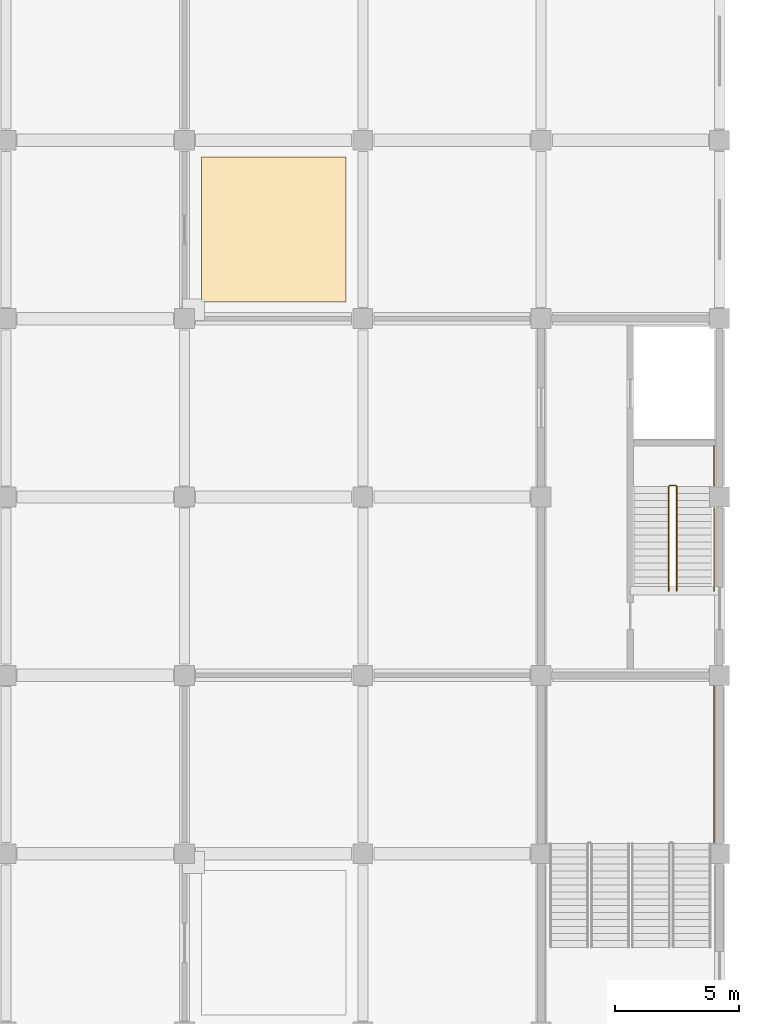
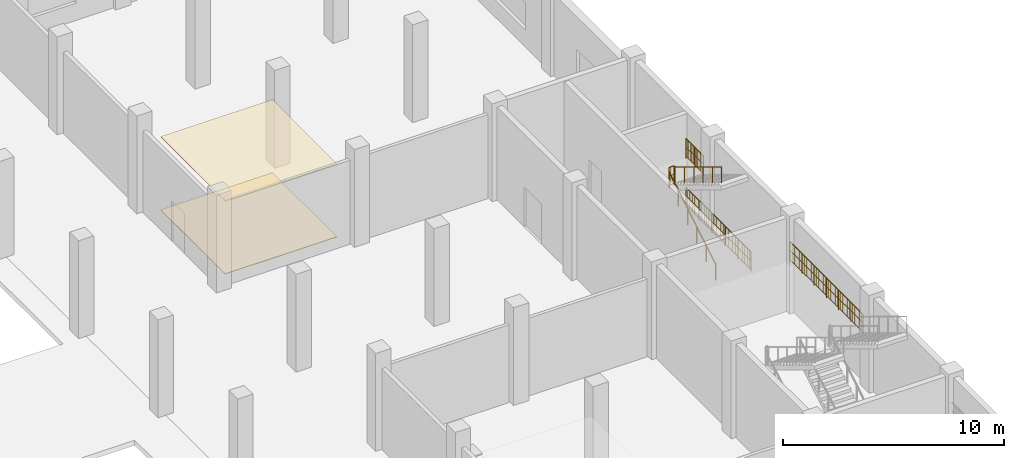
# One storey, part 69 of 70: 6 railings, 2 coverings.
"""IFC4 building model written with IfcOpenShell, lengths in metres."""

from ifc_helpers import new_model, si_unit, direction, frame, origin, origin_2d, place, context, subcontext, project, spatial, polyline, circle, outline, extrude, material, layer, layer_set, type_object, element, save


model = new_model("IFC4")

# Units and contexts
model_context = context("Model", 3, precision=1e-05, world=origin(), true_north=direction((0.0, 1.0)))
body_context = subcontext(model_context, "Body", "Model", "MODEL_VIEW")
ifc_project = project(units=[si_unit("LENGTHUNIT", "METRE"), si_unit("AREAUNIT", "SQUARE_METRE"), si_unit("VOLUMEUNIT", "CUBIC_METRE"), si_unit("PLANEANGLEUNIT", "RADIAN"), si_unit("MASSUNIT", "GRAM", prefix="KILO")], contexts=[model_context])

# Site, building, storey
site_placement = place(None, origin())
site = spatial("IfcSite", under=ifc_project, at=site_placement, CompositionType="ELEMENT")
building_placement = place(site_placement, origin())
building = spatial("IfcBuilding", under=site, at=building_placement, Name="Vesperath Aquatics Centre", CompositionType="ELEMENT")
storey_placement = place(building_placement, origin())
storey = spatial("IfcBuildingStorey", under=building, at=storey_placement, Name="L00", CompositionType="ELEMENT", Elevation=0.0)

# Coverings
ifc_material_1 = material(Name="Perforated moisture-resistant acoustic mineral-fibre ceiling", Category="gypsum")
ifc_layer_1 = layer(ifc_material_1, 0.044921875)
ifc_layer_set_1 = layer_set([ifc_layer_1], Name="Perforated moisture-resistant acoustic mineral-fibre ceiling")
covering_type_1 = type_object("IfcCoveringType", Name="CV-CLG01", PredefinedType="CEILING", material=ifc_layer_set_1)
covering_1_placement = place(storey_placement, frame((0.0, 0.0, 4.02490234375)))
element("IfcCovering", 1, at=covering_1_placement, inside=storey, type_object=covering_type_1, Name="Acoustic Suspended Ceiling CLG1 L00_CHG_FAM", PredefinedType="CEILING", context=body_context, shape_type="SweptSolid", body=[
    extrude(outline(polyline([(151.8798828125, 94.280029296875), (157.719970703125, 94.280029296875), (157.719970703125, 100.1201171875), (151.8798828125, 100.1201171875), (151.8798828125, 94.280029296875)])), origin(), (0.0, 0.0, 1.0), 0.045166015625),
])
ifc_material_2 = material(Name="Slip-resistant vitrified ceramic and terrazzo flooring", Category="ceramic")
ifc_layer_2 = layer(ifc_material_2, 0.030029296875)
ifc_layer_set_2 = layer_set([ifc_layer_2], Name="Slip-resistant vitrified ceramic and terrazzo flooring")
covering_type_2 = type_object("IfcCoveringType", Name="CV-FLR01", PredefinedType="FLOORING", material=ifc_layer_set_2)
covering_2_placement = place(storey_placement, origin())
element("IfcCovering", 2, at=covering_2_placement, inside=storey, type_object=covering_type_2, Name="Slip-Resistant Floor Finish FLR1 L00_CHG_FAM", PredefinedType="FLOORING", context=body_context, shape_type="SweptSolid", body=[
    extrude(outline(polyline([(151.8798828125, 94.280029296875), (157.719970703125, 94.280029296875), (157.719970703125, 100.1201171875), (151.8798828125, 100.1201171875), (151.8798828125, 94.280029296875)])), origin(), (0.0, 0.0, 1.0), 0.030029296875),
])

# Railings
ifc_material_3 = material(Name="Powder-coated galvanized steel safety guard", Category="steel")
railing_type_1 = type_object("IfcRailingType", Name="RL-GRD01", PredefinedType="GUARDRAIL", material=ifc_material_3)
railing_1_placement = place(storey_placement, frame((170.780029296875, 86.860107421875, 2.699951171875)))
element("IfcRailing", 3, at=railing_1_placement, inside=storey, type_object=railing_type_1, Name="Stair ST4 Half-Landing Slot Guard GR02 L00", PredefinedType="GUARDRAIL", context=body_context, shape_type="SweptSolid", body=[
    extrude(circle(Radius=0.02392578125, at=origin_2d()), frame((0.0, 0.0, 1.0859375), z_axis=(1.0, 0.0, 0.0), x_axis=(0.0, 1.0, 0.0)), (0.0, 0.0, 1.0), 0.260009765625),
    extrude(circle(Radius=0.01611328125, at=origin_2d()), frame((0.0, 0.0, 0.10009765625), z_axis=(1.0, 0.0, 0.0), x_axis=(0.0, 1.0, 0.0)), (0.0, 0.0, 1.0), 0.260009765625),
    extrude(circle(Radius=0.01611328125, at=origin_2d()), frame((0.0, 0.0, 0.610595703125), z_axis=(1.0, 0.0, 0.0), x_axis=(0.0, 1.0, 0.0)), (0.0, 0.0, 1.0), 0.260009765625),
    extrude(circle(Radius=0.009033203125, at=origin_2d()), frame((0.086669921875, 0.0, 0.10009765625)), (0.0, 0.0, 1.0), 0.9619140625),
    extrude(circle(Radius=0.009033203125, at=origin_2d()), frame((0.17333984375, 0.0, 0.10009765625)), (0.0, 0.0, 1.0), 0.9619140625),
    extrude(circle(Radius=0.02197265625, at=origin_2d()), origin(), (0.0, 0.0, 1.0), 1.0859375),
    extrude(circle(Radius=0.02197265625, at=origin_2d()), frame((0.260009765625, 0.0, 0.0)), (0.0, 0.0, 1.0), 1.0859375),
])
railing_2_placement = place(storey_placement, frame((172.580078125, 86.860107421875, 2.699951171875)))
element("IfcRailing", 4, at=railing_2_placement, inside=storey, type_object=railing_type_1, Name="Stair ST4 Half-Landing Wall Guard GR02 L00", PredefinedType="GUARDRAIL", context=body_context, shape_type="SweptSolid", body=[
    extrude(circle(Radius=0.02392578125, at=origin_2d()), frame((0.0, 0.0, 1.0859375), z_axis=(0.0, 1.0, 0.0), x_axis=(-1.0, 0.0, 0.0)), (0.0, 0.0, 1.0), 1.599853515625),
    extrude(circle(Radius=0.01611328125, at=origin_2d()), frame((0.0, 0.0, 0.10009765625), z_axis=(0.0, 1.0, 0.0), x_axis=(-1.0, 0.0, 0.0)), (0.0, 0.0, 1.0), 1.599853515625),
    extrude(circle(Radius=0.01611328125, at=origin_2d()), frame((0.0, 0.0, 0.610595703125), z_axis=(0.0, 1.0, 0.0), x_axis=(-1.0, 0.0, 0.0)), (0.0, 0.0, 1.0), 1.599853515625),
    extrude(circle(Radius=0.009033203125, at=origin_2d()), frame((0.0, 0.106689453125, 0.10009765625)), (0.0, 0.0, 1.0), 0.9619140625),
    extrude(circle(Radius=0.009033203125, at=origin_2d()), frame((0.0, 0.21337890625, 0.10009765625)), (0.0, 0.0, 1.0), 0.9619140625),
    extrude(circle(Radius=0.009033203125, at=origin_2d()), frame((0.0, 0.320068359375, 0.10009765625)), (0.0, 0.0, 1.0), 0.9619140625),
    extrude(circle(Radius=0.009033203125, at=origin_2d()), frame((0.0, 0.426513671875, 0.10009765625)), (0.0, 0.0, 1.0), 0.9619140625),
    extrude(circle(Radius=0.009033203125, at=origin_2d()), frame((0.0, 0.533203125, 0.10009765625)), (0.0, 0.0, 1.0), 0.9619140625),
    extrude(circle(Radius=0.009033203125, at=origin_2d()), frame((0.0, 0.639892578125, 0.10009765625)), (0.0, 0.0, 1.0), 0.9619140625),
    extrude(circle(Radius=0.009033203125, at=origin_2d()), frame((0.0, 0.74658203125, 0.10009765625)), (0.0, 0.0, 1.0), 0.9619140625),
    extrude(circle(Radius=0.009033203125, at=origin_2d()), frame((0.0, 0.853271484375, 0.10009765625)), (0.0, 0.0, 1.0), 0.9619140625),
    extrude(circle(Radius=0.009033203125, at=origin_2d()), frame((0.0, 0.9599609375, 0.10009765625)), (0.0, 0.0, 1.0), 0.9619140625),
    extrude(circle(Radius=0.009033203125, at=origin_2d()), frame((0.0, 1.066650390625, 0.10009765625)), (0.0, 0.0, 1.0), 0.9619140625),
    extrude(circle(Radius=0.009033203125, at=origin_2d()), frame((0.0, 1.17333984375, 0.10009765625)), (0.0, 0.0, 1.0), 0.9619140625),
    extrude(circle(Radius=0.009033203125, at=origin_2d()), frame((0.0, 1.27978515625, 0.10009765625)), (0.0, 0.0, 1.0), 0.9619140625),
    extrude(circle(Radius=0.009033203125, at=origin_2d()), frame((0.0, 1.386474609375, 0.10009765625)), (0.0, 0.0, 1.0), 0.9619140625),
    extrude(circle(Radius=0.009033203125, at=origin_2d()), frame((0.0, 1.4931640625, 0.10009765625)), (0.0, 0.0, 1.0), 0.9619140625),
    extrude(circle(Radius=0.02197265625, at=origin_2d()), origin(), (0.0, 0.0, 1.0), 1.0859375),
    extrude(circle(Radius=0.02197265625, at=origin_2d()), frame((0.0, 0.7998046875, 0.0)), (0.0, 0.0, 1.0), 1.0859375),
    extrude(circle(Radius=0.02197265625, at=origin_2d()), frame((0.0, 1.599853515625, 0.0)), (0.0, 0.0, 1.0), 1.0859375),
])
railing_3_placement = place(storey_placement, frame((172.580078125, 82.60009765625, 0.0)))
element("IfcRailing", 5, at=railing_3_placement, inside=storey, type_object=railing_type_1, Name="Stair ST4 Shaft Side Guard GR02 L00", PredefinedType="GUARDRAIL", context=body_context, shape_type="SweptSolid", body=[
    extrude(circle(Radius=0.02392578125, at=origin_2d()), frame((0.0, 0.0, 1.0859375), z_axis=(0.0, 1.0, 0.0), x_axis=(-1.0, 0.0, 0.0)), (0.0, 0.0, 1.0), 5.83984375),
    extrude(circle(Radius=0.01611328125, at=origin_2d()), frame((0.0, 0.0, 0.10009765625), z_axis=(0.0, 1.0, 0.0), x_axis=(-1.0, 0.0, 0.0)), (0.0, 0.0, 1.0), 5.83984375),
    extrude(circle(Radius=0.01611328125, at=origin_2d()), frame((0.0, 0.0, 0.610595703125), z_axis=(0.0, 1.0, 0.0), x_axis=(-1.0, 0.0, 0.0)), (0.0, 0.0, 1.0), 5.83984375),
    extrude(circle(Radius=0.009033203125, at=origin_2d()), frame((0.0, 0.108154296875, 0.10009765625)), (0.0, 0.0, 1.0), 0.9619140625),
    extrude(circle(Radius=0.009033203125, at=origin_2d()), frame((0.0, 0.324462890625, 0.10009765625)), (0.0, 0.0, 1.0), 0.9619140625),
    extrude(circle(Radius=0.009033203125, at=origin_2d()), frame((0.0, 0.540771484375, 0.10009765625)), (0.0, 0.0, 1.0), 0.9619140625),
    extrude(circle(Radius=0.009033203125, at=origin_2d()), frame((0.0, 0.757080078125, 0.10009765625)), (0.0, 0.0, 1.0), 0.9619140625),
    extrude(circle(Radius=0.009033203125, at=origin_2d()), frame((0.0, 0.973388671875, 0.10009765625)), (0.0, 0.0, 1.0), 0.9619140625),
    extrude(circle(Radius=0.009033203125, at=origin_2d()), frame((0.0, 1.189697265625, 0.10009765625)), (0.0, 0.0, 1.0), 0.9619140625),
    extrude(circle(Radius=0.009033203125, at=origin_2d()), frame((0.0, 1.406005859375, 0.10009765625)), (0.0, 0.0, 1.0), 0.9619140625),
    extrude(circle(Radius=0.009033203125, at=origin_2d()), frame((0.0, 1.6220703125, 0.10009765625)), (0.0, 0.0, 1.0), 0.9619140625),
    extrude(circle(Radius=0.009033203125, at=origin_2d()), frame((0.0, 1.83837890625, 0.10009765625)), (0.0, 0.0, 1.0), 0.9619140625),
    extrude(circle(Radius=0.009033203125, at=origin_2d()), frame((0.0, 2.0546875, 0.10009765625)), (0.0, 0.0, 1.0), 0.9619140625),
    extrude(circle(Radius=0.009033203125, at=origin_2d()), frame((0.0, 2.27099609375, 0.10009765625)), (0.0, 0.0, 1.0), 0.9619140625),
    extrude(circle(Radius=0.009033203125, at=origin_2d()), frame((0.0, 2.4873046875, 0.10009765625)), (0.0, 0.0, 1.0), 0.9619140625),
    extrude(circle(Radius=0.009033203125, at=origin_2d()), frame((0.0, 2.70361328125, 0.10009765625)), (0.0, 0.0, 1.0), 0.9619140625),
    extrude(circle(Radius=0.009033203125, at=origin_2d()), frame((0.0, 2.919921875, 0.10009765625)), (0.0, 0.0, 1.0), 0.9619140625),
    extrude(circle(Radius=0.009033203125, at=origin_2d()), frame((0.0, 3.13623046875, 0.10009765625)), (0.0, 0.0, 1.0), 0.9619140625),
    extrude(circle(Radius=0.009033203125, at=origin_2d()), frame((0.0, 3.3525390625, 0.10009765625)), (0.0, 0.0, 1.0), 0.9619140625),
    extrude(circle(Radius=0.009033203125, at=origin_2d()), frame((0.0, 3.56884765625, 0.10009765625)), (0.0, 0.0, 1.0), 0.9619140625),
    extrude(circle(Radius=0.009033203125, at=origin_2d()), frame((0.0, 3.78515625, 0.10009765625)), (0.0, 0.0, 1.0), 0.9619140625),
    extrude(circle(Radius=0.009033203125, at=origin_2d()), frame((0.0, 4.00146484375, 0.10009765625)), (0.0, 0.0, 1.0), 0.9619140625),
    extrude(circle(Radius=0.009033203125, at=origin_2d()), frame((0.0, 4.2177734375, 0.10009765625)), (0.0, 0.0, 1.0), 0.9619140625),
    extrude(circle(Radius=0.009033203125, at=origin_2d()), frame((0.0, 4.433837890625, 0.10009765625)), (0.0, 0.0, 1.0), 0.9619140625),
    extrude(circle(Radius=0.009033203125, at=origin_2d()), frame((0.0, 4.650146484375, 0.10009765625)), (0.0, 0.0, 1.0), 0.9619140625),
    extrude(circle(Radius=0.009033203125, at=origin_2d()), frame((0.0, 4.866455078125, 0.10009765625)), (0.0, 0.0, 1.0), 0.9619140625),
    extrude(circle(Radius=0.009033203125, at=origin_2d()), frame((0.0, 5.082763671875, 0.10009765625)), (0.0, 0.0, 1.0), 0.9619140625),
    extrude(circle(Radius=0.009033203125, at=origin_2d()), frame((0.0, 5.299072265625, 0.10009765625)), (0.0, 0.0, 1.0), 0.9619140625),
    extrude(circle(Radius=0.009033203125, at=origin_2d()), frame((0.0, 5.515380859375, 0.10009765625)), (0.0, 0.0, 1.0), 0.9619140625),
    extrude(circle(Radius=0.009033203125, at=origin_2d()), frame((0.0, 5.731689453125, 0.10009765625)), (0.0, 0.0, 1.0), 0.9619140625),
    extrude(circle(Radius=0.02197265625, at=origin_2d()), origin(), (0.0, 0.0, 1.0), 1.0859375),
    extrude(circle(Radius=0.02197265625, at=origin_2d()), frame((0.0, 1.16796875, 0.0)), (0.0, 0.0, 1.0), 1.0859375),
    extrude(circle(Radius=0.02197265625, at=origin_2d()), frame((0.0, 2.3359375, 0.0)), (0.0, 0.0, 1.0), 1.0859375),
    extrude(circle(Radius=0.02197265625, at=origin_2d()), frame((0.0, 3.50390625, 0.0)), (0.0, 0.0, 1.0), 1.0859375),
    extrude(circle(Radius=0.02197265625, at=origin_2d()), frame((0.0, 4.671875, 0.0)), (0.0, 0.0, 1.0), 1.0859375),
    extrude(circle(Radius=0.02197265625, at=origin_2d()), frame((0.0, 5.83984375, 0.0)), (0.0, 0.0, 1.0), 1.0859375),
])
railing_4_placement = place(storey_placement, frame((172.580078125, 72.4599609375, 2.699951171875)))
element("IfcRailing", 6, at=railing_4_placement, inside=storey, type_object=railing_type_1, Name="Stair ST13B Half-Landing Wall Guard GR02 L00", PredefinedType="GUARDRAIL", context=body_context, shape_type="SweptSolid", body=[
    extrude(circle(Radius=0.02392578125, at=origin_2d()), frame((0.0, 0.0, 1.0859375), z_axis=(0.0, 1.0, 0.0), x_axis=(-1.0, 0.0, 0.0)), (0.0, 0.0, 1.0), 6.610107421875),
    extrude(circle(Radius=0.01611328125, at=origin_2d()), frame((0.0, 0.0, 0.10009765625), z_axis=(0.0, 1.0, 0.0), x_axis=(-1.0, 0.0, 0.0)), (0.0, 0.0, 1.0), 6.610107421875),
    extrude(circle(Radius=0.01611328125, at=origin_2d()), frame((0.0, 0.0, 0.610595703125), z_axis=(0.0, 1.0, 0.0), x_axis=(-1.0, 0.0, 0.0)), (0.0, 0.0, 1.0), 6.610107421875),
    extrude(circle(Radius=0.009033203125, at=origin_2d()), frame((0.0, 0.1083984375, 0.10009765625)), (0.0, 0.0, 1.0), 0.9619140625),
    extrude(circle(Radius=0.009033203125, at=origin_2d()), frame((0.0, 0.3251953125, 0.10009765625)), (0.0, 0.0, 1.0), 0.9619140625),
    extrude(circle(Radius=0.009033203125, at=origin_2d()), frame((0.0, 0.541748046875, 0.10009765625)), (0.0, 0.0, 1.0), 0.9619140625),
    extrude(circle(Radius=0.009033203125, at=origin_2d()), frame((0.0, 0.758544921875, 0.10009765625)), (0.0, 0.0, 1.0), 0.9619140625),
    extrude(circle(Radius=0.009033203125, at=origin_2d()), frame((0.0, 0.975341796875, 0.10009765625)), (0.0, 0.0, 1.0), 0.9619140625),
    extrude(circle(Radius=0.009033203125, at=origin_2d()), frame((0.0, 1.19189453125, 0.10009765625)), (0.0, 0.0, 1.0), 0.9619140625),
    extrude(circle(Radius=0.009033203125, at=origin_2d()), frame((0.0, 1.40869140625, 0.10009765625)), (0.0, 0.0, 1.0), 0.9619140625),
    extrude(circle(Radius=0.009033203125, at=origin_2d()), frame((0.0, 1.62548828125, 0.10009765625)), (0.0, 0.0, 1.0), 0.9619140625),
    extrude(circle(Radius=0.009033203125, at=origin_2d()), frame((0.0, 1.842041015625, 0.10009765625)), (0.0, 0.0, 1.0), 0.9619140625),
    extrude(circle(Radius=0.009033203125, at=origin_2d()), frame((0.0, 2.058837890625, 0.10009765625)), (0.0, 0.0, 1.0), 0.9619140625),
    extrude(circle(Radius=0.009033203125, at=origin_2d()), frame((0.0, 2.275634765625, 0.10009765625)), (0.0, 0.0, 1.0), 0.9619140625),
    extrude(circle(Radius=0.009033203125, at=origin_2d()), frame((0.0, 2.492431640625, 0.10009765625)), (0.0, 0.0, 1.0), 0.9619140625),
    extrude(circle(Radius=0.009033203125, at=origin_2d()), frame((0.0, 2.708984375, 0.10009765625)), (0.0, 0.0, 1.0), 0.9619140625),
    extrude(circle(Radius=0.009033203125, at=origin_2d()), frame((0.0, 2.92578125, 0.10009765625)), (0.0, 0.0, 1.0), 0.9619140625),
    extrude(circle(Radius=0.009033203125, at=origin_2d()), frame((0.0, 3.142578125, 0.10009765625)), (0.0, 0.0, 1.0), 0.9619140625),
    extrude(circle(Radius=0.009033203125, at=origin_2d()), frame((0.0, 3.359130859375, 0.10009765625)), (0.0, 0.0, 1.0), 0.9619140625),
    extrude(circle(Radius=0.009033203125, at=origin_2d()), frame((0.0, 3.575927734375, 0.10009765625)), (0.0, 0.0, 1.0), 0.9619140625),
    extrude(circle(Radius=0.009033203125, at=origin_2d()), frame((0.0, 3.792724609375, 0.10009765625)), (0.0, 0.0, 1.0), 0.9619140625),
    extrude(circle(Radius=0.009033203125, at=origin_2d()), frame((0.0, 4.009521484375, 0.10009765625)), (0.0, 0.0, 1.0), 0.9619140625),
    extrude(circle(Radius=0.009033203125, at=origin_2d()), frame((0.0, 4.22607421875, 0.10009765625)), (0.0, 0.0, 1.0), 0.9619140625),
    extrude(circle(Radius=0.009033203125, at=origin_2d()), frame((0.0, 4.44287109375, 0.10009765625)), (0.0, 0.0, 1.0), 0.9619140625),
    extrude(circle(Radius=0.009033203125, at=origin_2d()), frame((0.0, 4.65966796875, 0.10009765625)), (0.0, 0.0, 1.0), 0.9619140625),
    extrude(circle(Radius=0.009033203125, at=origin_2d()), frame((0.0, 4.876220703125, 0.10009765625)), (0.0, 0.0, 1.0), 0.9619140625),
    extrude(circle(Radius=0.009033203125, at=origin_2d()), frame((0.0, 5.093017578125, 0.10009765625)), (0.0, 0.0, 1.0), 0.9619140625),
    extrude(circle(Radius=0.009033203125, at=origin_2d()), frame((0.0, 5.309814453125, 0.10009765625)), (0.0, 0.0, 1.0), 0.9619140625),
    extrude(circle(Radius=0.009033203125, at=origin_2d()), frame((0.0, 5.5263671875, 0.10009765625)), (0.0, 0.0, 1.0), 0.9619140625),
    extrude(circle(Radius=0.009033203125, at=origin_2d()), frame((0.0, 5.7431640625, 0.10009765625)), (0.0, 0.0, 1.0), 0.9619140625),
    extrude(circle(Radius=0.009033203125, at=origin_2d()), frame((0.0, 5.9599609375, 0.10009765625)), (0.0, 0.0, 1.0), 0.9619140625),
    extrude(circle(Radius=0.009033203125, at=origin_2d()), frame((0.0, 6.1767578125, 0.10009765625)), (0.0, 0.0, 1.0), 0.9619140625),
    extrude(circle(Radius=0.009033203125, at=origin_2d()), frame((0.0, 6.393310546875, 0.10009765625)), (0.0, 0.0, 1.0), 0.9619140625),
    extrude(circle(Radius=0.02197265625, at=origin_2d()), origin(), (0.0, 0.0, 1.0), 1.0859375),
    extrude(circle(Radius=0.02197265625, at=origin_2d()), frame((0.0, 1.1015625, 0.0)), (0.0, 0.0, 1.0), 1.0859375),
    extrude(circle(Radius=0.02197265625, at=origin_2d()), frame((0.0, 2.203369140625, 0.0)), (0.0, 0.0, 1.0), 1.0859375),
    extrude(circle(Radius=0.02197265625, at=origin_2d()), frame((0.0, 3.30517578125, 0.0)), (0.0, 0.0, 1.0), 1.0859375),
    extrude(circle(Radius=0.02197265625, at=origin_2d()), frame((0.0, 4.40673828125, 0.0)), (0.0, 0.0, 1.0), 1.0859375),
    extrude(circle(Radius=0.02197265625, at=origin_2d()), frame((0.0, 5.50830078125, 0.0)), (0.0, 0.0, 1.0), 1.0859375),
    extrude(circle(Radius=0.02197265625, at=origin_2d()), frame((0.0, 6.610107421875, 0.0)), (0.0, 0.0, 1.0), 1.0859375),
])
ifc_material_4 = material(Name="Brushed stainless steel tubular handrail", Category="steel")
railing_type_2 = type_object("IfcRailingType", Name="RL-HND01", PredefinedType="HANDRAIL", material=ifc_material_4)
railing_5_placement = place(storey_placement, frame((170.75, 82.6201171875, 0.168701171875)))
element("IfcRailing", 7, at=railing_5_placement, inside=storey, type_object=railing_type_2, Name="Stair ST4 Flight 1 Handrail HR01 L00", PredefinedType="HANDRAIL", context=body_context, shape_type="SweptSolid", body=[
    extrude(circle(Radius=0.02392578125, at=origin_2d()), frame((0.0, 0.0, 0.8759765625), z_axis=(0.0, 0.856476492594, 0.516186030065), x_axis=(-1.0, 0.0, 0.0)), (0.0, 0.0, 1.0), 4.90380859375),
    extrude(circle(Radius=0.02197265625, at=origin_2d()), origin(), (0.0, 0.0, 1.0), 0.8759765625),
    extrude(circle(Radius=0.02197265625, at=origin_2d()), frame((0.0, 0.840087890625, 0.50634765625)), (0.0, 0.0, 1.0), 0.8759765625),
    extrude(circle(Radius=0.02197265625, at=origin_2d()), frame((0.0, 1.679931640625, 1.012451171875)), (0.0, 0.0, 1.0), 0.8759765625),
    extrude(circle(Radius=0.02197265625, at=origin_2d()), frame((0.0, 2.52001953125, 1.518798828125)), (0.0, 0.0, 1.0), 0.8759765625),
    extrude(circle(Radius=0.02197265625, at=origin_2d()), frame((0.0, 3.35986328125, 2.02490234375)), (0.0, 0.0, 1.0), 0.8759765625),
    extrude(circle(Radius=0.02197265625, at=origin_2d()), frame((0.0, 4.199951171875, 2.53125)), (0.0, 0.0, 1.0), 0.8759765625),
])
railing_6_placement = place(storey_placement, frame((171.070068359375, 86.820068359375, 2.86865234375)))
element("IfcRailing", 8, at=railing_6_placement, inside=storey, type_object=railing_type_2, Name="Stair ST4 Flight 2 Handrail HR01 L00", PredefinedType="HANDRAIL", context=body_context, shape_type="SweptSolid", body=[
    extrude(circle(Radius=0.02392578125, at=origin_2d()), frame((0.0, 0.0, 0.8759765625), z_axis=(0.0, -0.856476492594, 0.516186030065), x_axis=(1.0, 0.0, 0.0)), (0.0, 0.0, 1.0), 4.90380859375),
    extrude(circle(Radius=0.02197265625, at=origin_2d()), origin(), (0.0, 0.0, 1.0), 0.8759765625),
    extrude(circle(Radius=0.02197265625, at=origin_2d()), frame((0.0, -0.840087890625, 0.50634765625)), (0.0, 0.0, 1.0), 0.8759765625),
    extrude(circle(Radius=0.02197265625, at=origin_2d()), frame((0.0, -1.679931640625, 1.012451171875)), (0.0, 0.0, 1.0), 0.8759765625),
    extrude(circle(Radius=0.02197265625, at=origin_2d()), frame((0.0, -2.52001953125, 1.518798828125)), (0.0, 0.0, 1.0), 0.8759765625),
    extrude(circle(Radius=0.02197265625, at=origin_2d()), frame((0.0, -3.35986328125, 2.02490234375)), (0.0, 0.0, 1.0), 0.8759765625),
    extrude(circle(Radius=0.02197265625, at=origin_2d()), frame((0.0, -4.199951171875, 2.53125)), (0.0, 0.0, 1.0), 0.8759765625),
])

save(model, "model.ifc")
